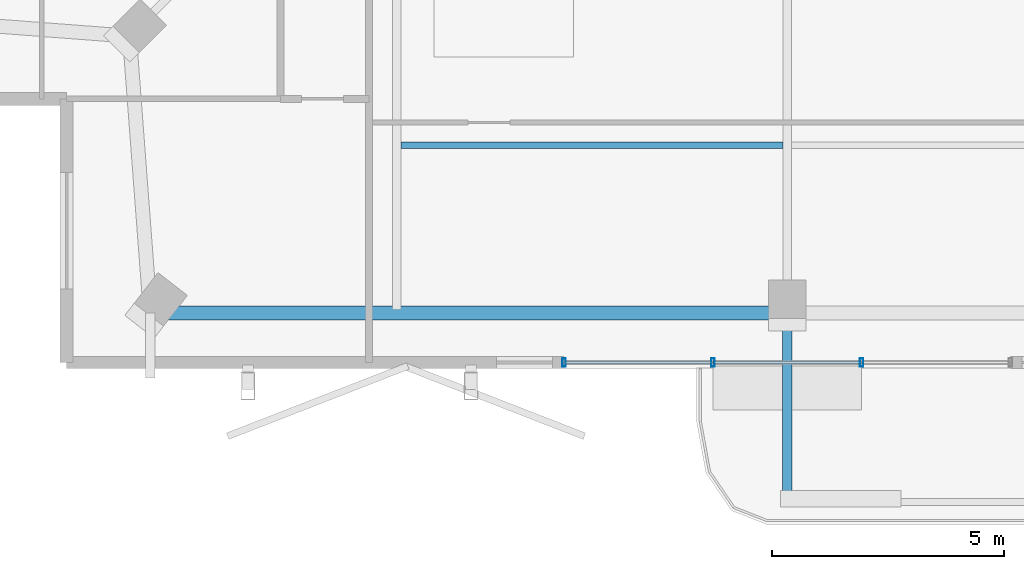
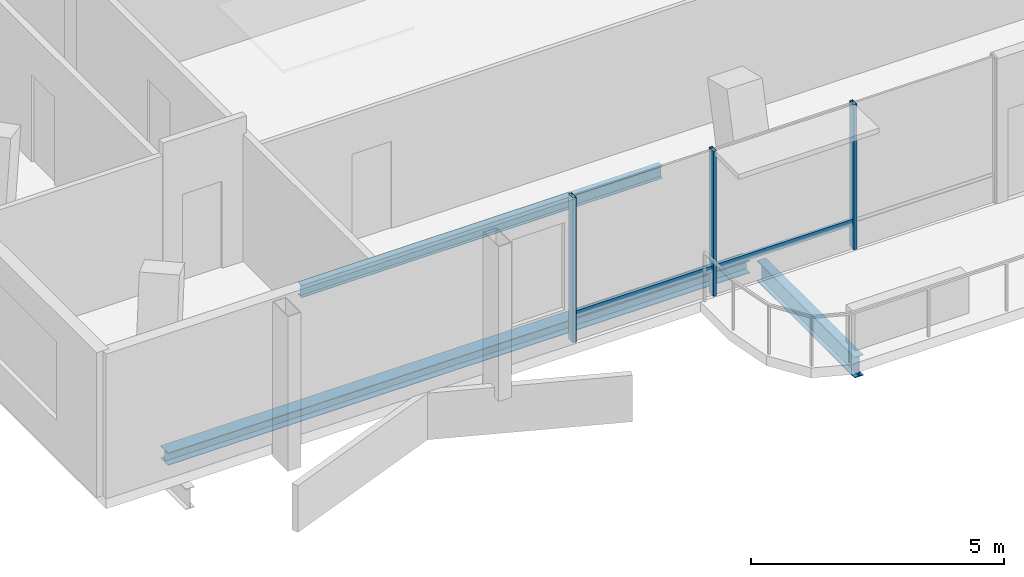
# One storey, part 3 of 20: 5 members, 3 beams, 1 element without a shape of its own.
"""IFC4 building model written with IfcOpenShell, lengths in metres."""

from ifc_helpers import new_model, si_unit, direction, frame, origin, origin_2d, place, context, subcontext, project, spatial, hollow_rectangle, i_section, extrude, material, layer, layer_set, material_profile, profile_set, type_object, element, aggregate, save


model = new_model("IFC4")

# Units and contexts
model_context = context("Model", 3, precision=1e-05, world=origin(), true_north=direction((0.0, 1.0)))
body_context = subcontext(model_context, "Body", "Model", "MODEL_VIEW")
ifc_project = project(units=[si_unit("LENGTHUNIT", "METRE"), si_unit("AREAUNIT", "SQUARE_METRE"), si_unit("VOLUMEUNIT", "CUBIC_METRE"), si_unit("PLANEANGLEUNIT", "RADIAN"), si_unit("MASSUNIT", "GRAM", prefix="KILO")], contexts=[model_context])

# Site, building, storey
site_placement = place(None, origin())
site = spatial("IfcSite", under=ifc_project, at=site_placement, CompositionType="ELEMENT")
building_placement = place(site_placement, origin())
building = spatial("IfcBuilding", under=site, at=building_placement, Name="Belovzor Exchange Tower", CompositionType="ELEMENT")
storey_placement = place(building_placement, frame((0.0, 0.0, 351.75)))
storey = spatial("IfcBuildingStorey", under=building, at=storey_placement, Name="L88", CompositionType="ELEMENT", Elevation=351.75)

# Beams
ifc_material_1 = material(Name="Steel S355", Category="steel")
ifc_material_profile_1 = material_profile(ifc_material_1, i_section(OverallWidth=0.199951171875, OverallDepth=0.5, WebThickness=0.01025390625, FlangeThickness=0.01611328125, at=origin_2d()))
ifc_profile_set_1 = profile_set([ifc_material_profile_1], Name="Steel S355")
beam_type_1 = type_object("IfcBeamType", Name="Planted Balcony Cantilever Beam IPE 500", PredefinedType="BEAM", material=ifc_profile_set_1)
beam_1_placement = place(storey_placement, frame((28.800048828125, 8.47998046875, -0.489990234375), z_axis=(0.0, -1.0, 0.0), x_axis=(1.0, 0.0, 0.0)))
element("IfcBeam", 1, at=beam_1_placement, inside=storey, type_object=beam_type_1, Name="BC-500 Planted Balcony Cantilever Beam IPE 500", PredefinedType="BEAM", context=body_context, shape_type="SweptSolid", body=[
    extrude(i_section(OverallWidth=0.199951171875, OverallDepth=0.5, WebThickness=0.01025390625, FlangeThickness=0.01611328125, at=origin_2d()), origin(), (0.0, 0.0, 1.0), 3.85009765625),
])
ifc_material_2 = material(Name="Steel S355", Category="steel")
ifc_material_profile_2 = material_profile(ifc_material_2, i_section(OverallWidth=0.14990234375, OverallDepth=0.300048828125, WebThickness=0.007080078125, FlangeThickness=0.0107421875, at=origin_2d()))
ifc_profile_set_2 = profile_set([ifc_material_profile_2], Name="Steel S355")
beam_type_2 = type_object("IfcBeamType", Name="Secondary Trim Floor Joist IPE 300", PredefinedType="BEAM", material=ifc_profile_set_2)
beam_2_placement = place(storey_placement, frame((20.489990234375, 12.302978515625, -0.389892578125), z_axis=(1.0, 0.0, 0.0), x_axis=(0.0, 1.0, 0.0)))
element("IfcBeam", 2, at=beam_2_placement, inside=storey, type_object=beam_type_2, Name="FJ-300 Secondary Trim Floor Joist IPE 300", PredefinedType="BEAM", context=body_context, shape_type="SweptSolid", body=[
    extrude(i_section(OverallWidth=0.14990234375, OverallDepth=0.300048828125, WebThickness=0.007080078125, FlangeThickness=0.0107421875, at=origin_2d()), origin(), (0.0, 0.0, 1.0), 8.219970703125),
])

# Curtain wall, members
ifc_material_3 = material(Name="Anodised Aluminium Framing", Category="aluminium")
ifc_layer = layer(ifc_material_3, 0.179931640625)
ifc_layer_set = layer_set([ifc_layer], Name="Anodised Aluminium Framing")
curtain_wall_type = type_object("IfcCurtainWallType", Name="Recessed Loggia Low-Iron Triple-Glazed Curtain Wall", PredefinedType="NOTDEFINED", material=ifc_layer_set)
curtain_wall_placement = place(storey_placement, origin())
curtain_wall = element("IfcCurtainWall", 3, at=curtain_wall_placement, inside=storey, type_object=curtain_wall_type, Name="CW3 Recessed Loggia Low-Iron Triple-Glazed Curtain Wall L88", PredefinedType="NOTDEFINED")
ifc_material_4 = material(Name="Steel S355", Category="steel")
ifc_material_profile_3 = material_profile(ifc_material_4, hollow_rectangle(XDim=0.074951171875, YDim=0.179931640625, WallThickness=0.0048828125, at=origin_2d()))
ifc_profile_set_3 = profile_set([ifc_material_profile_3], Name="Steel S355")
member_type_1 = type_object("IfcMemberType", Name="Thermally Broken Curtain Wall Mullion 180x75", PredefinedType="MULLION", material=ifc_profile_set_3)
member_1_placement = place(storey_placement, frame((30.39990234375, 7.6298828125, 0.0), z_axis=(0.0, 0.0, 1.0), x_axis=(-1.0, 0.0, 0.0)))
member_1 = element("IfcMember", 4, at=member_1_placement, type_object=member_type_1, Name="CW-M180 Curtain Wall Mullion 2", PredefinedType="MULLION", context=body_context, shape_type="SweptSolid", body=[
    extrude(hollow_rectangle(XDim=0.074951171875, YDim=0.179931640625, WallThickness=0.0048828125, at=origin_2d()), origin(), (0.0, 0.0, 1.0), 3.489990234375),
])
member_2_placement = place(storey_placement, frame((27.199951171875, 7.6298828125, 0.0), z_axis=(0.0, 0.0, 1.0), x_axis=(-1.0, 0.0, 0.0)))
member_2 = element("IfcMember", 5, at=member_2_placement, type_object=member_type_1, Name="CW-M180 Curtain Wall Mullion 3", PredefinedType="MULLION", context=body_context, shape_type="SweptSolid", body=[
    extrude(hollow_rectangle(XDim=0.074951171875, YDim=0.179931640625, WallThickness=0.0048828125, at=origin_2d()), origin(), (0.0, 0.0, 1.0), 3.489990234375),
])
member_3_placement = place(storey_placement, frame((24.0, 7.6298828125, 0.0), z_axis=(0.0, 0.0, 1.0), x_axis=(-1.0, 0.0, 0.0)))
member_3 = element("IfcMember", 6, at=member_3_placement, type_object=member_type_1, Name="CW-M180 Curtain Wall Mullion 4", PredefinedType="MULLION", context=body_context, shape_type="SweptSolid", body=[
    extrude(hollow_rectangle(XDim=0.074951171875, YDim=0.179931640625, WallThickness=0.0048828125, at=origin_2d()), origin(), (0.0, 0.0, 1.0), 3.489990234375),
])
ifc_material_5 = material(Name="Steel S355", Category="steel")
ifc_material_profile_4 = material_profile(ifc_material_5, hollow_rectangle(XDim=0.06005859375, YDim=0.14990234375, WallThickness=0.00390625, at=origin_2d()))
ifc_profile_set_4 = profile_set([ifc_material_profile_4], Name="Steel S355")
member_type_2 = type_object("IfcMemberType", Name="Thermally Broken Curtain Wall Transom 150x60", PredefinedType="USERDEFINED", material=ifc_profile_set_4)
member_4_placement = place(storey_placement, frame((30.39208984375, 7.6298828125, 0.6279296875), z_axis=(-1.0, 0.0, 0.0), x_axis=(0.0, -1.0, 0.0)))
member_4 = element("IfcMember", 7, at=member_4_placement, type_object=member_type_2, Name="CW-T150 Curtain Wall Transom 2", ObjectType="TRANSOM", PredefinedType="USERDEFINED", context=body_context, shape_type="SweptSolid", body=[
    extrude(hollow_rectangle(XDim=0.06005859375, YDim=0.14990234375, WallThickness=0.00390625, at=origin_2d()), origin(), (0.0, 0.0, 1.0), 3.18408203125),
])
member_5_placement = place(storey_placement, frame((27.19189453125, 7.6298828125, 0.6279296875), z_axis=(-1.0, 0.0, 0.0), x_axis=(0.0, -1.0, 0.0)))
member_5 = element("IfcMember", 8, at=member_5_placement, type_object=member_type_2, Name="CW-T150 Curtain Wall Transom 3", ObjectType="TRANSOM", PredefinedType="USERDEFINED", context=body_context, shape_type="SweptSolid", body=[
    extrude(hollow_rectangle(XDim=0.06005859375, YDim=0.14990234375, WallThickness=0.00390625, at=origin_2d()), origin(), (0.0, 0.0, 1.0), 3.183837890625),
])
aggregate(curtain_wall, [member_1, member_2, member_3, member_4, member_5])

# Beam
ifc_material_6 = material(Name="Steel S355", Category="steel")
ifc_material_profile_5 = material_profile(ifc_material_6, i_section(OverallWidth=0.300048828125, OverallDepth=0.300048828125, WebThickness=0.008544921875, FlangeThickness=0.013916015625, at=origin_2d()))
ifc_profile_set_5 = profile_set([ifc_material_profile_5], Name="Steel S355")
beam_type_3 = type_object("IfcBeamType", Name="Zone 6 Primary Girder HEA 300", PredefinedType="BEAM", material=ifc_profile_set_5)
beam_3_placement = place(storey_placement, frame((15.320068359375, 8.699951171875, -0.389892578125), z_axis=(1.0, 0.0, 0.0), x_axis=(0.0, 1.0, 0.0)))
element("IfcBeam", 9, at=beam_3_placement, inside=storey, type_object=beam_type_3, Name="FG-Z6 Zone 6 Primary Girder HEA 300", PredefinedType="BEAM", context=body_context, shape_type="SweptSolid", body=[
    extrude(i_section(OverallWidth=0.300048828125, OverallDepth=0.300048828125, WebThickness=0.008544921875, FlangeThickness=0.013916015625, at=origin_2d()), origin(), (0.0, 0.0, 1.0), 13.260009765625),
])

save(model, "model.ifc")
